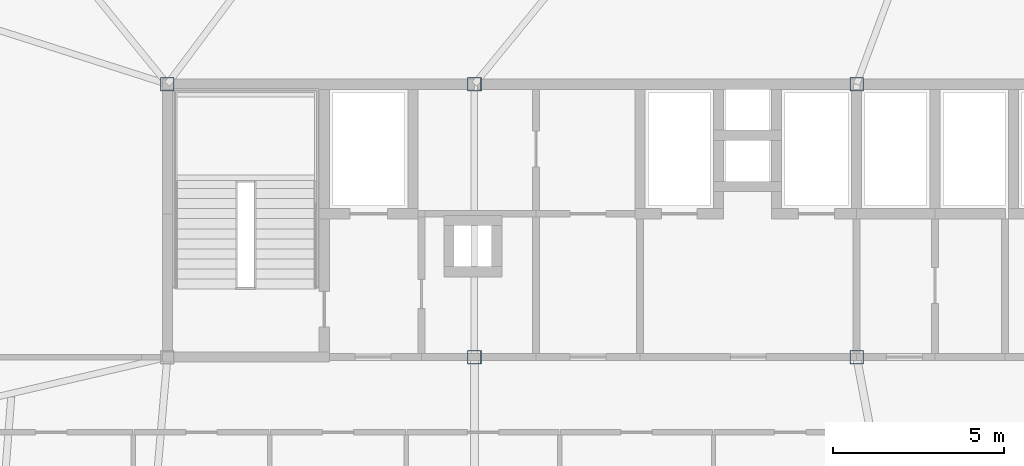
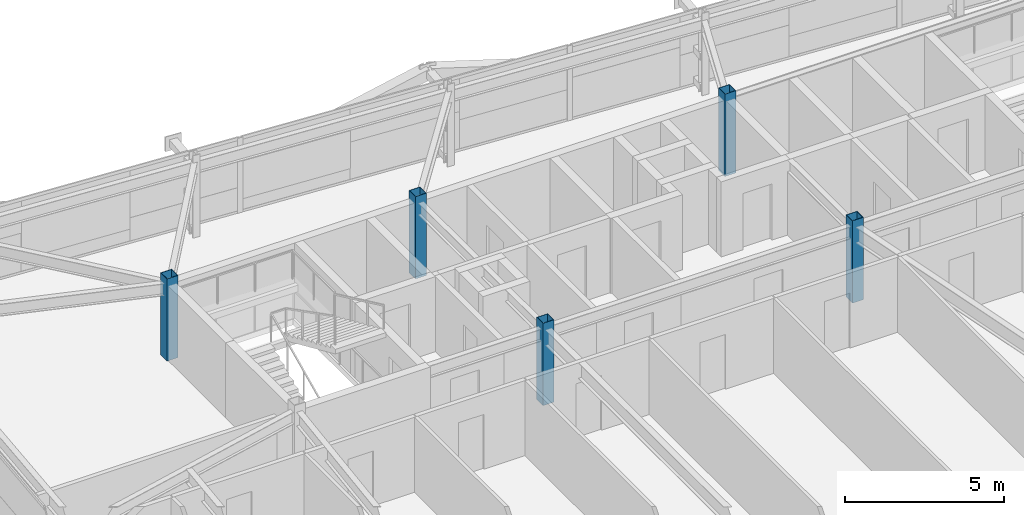
# One storey, part 2 of 39: 5 columns.
"""IFC4 building model written with IfcOpenShell, lengths in metres."""

from ifc_helpers import new_model, si_unit, direction, frame, origin, origin_2d, place, context, subcontext, project, spatial, hollow_rectangle, extrude, source, transform, mapped, material, material_profile, profile_set, type_object, element, save


model = new_model("IFC4")

# Units and contexts
model_context = context("Model", 3, precision=1e-05, world=origin(), true_north=direction((0.0, 1.0)))
body_context = subcontext(model_context, "Body", "Model", "MODEL_VIEW")
ifc_project = project(units=[si_unit("LENGTHUNIT", "METRE"), si_unit("AREAUNIT", "SQUARE_METRE"), si_unit("VOLUMEUNIT", "CUBIC_METRE"), si_unit("PLANEANGLEUNIT", "RADIAN"), si_unit("MASSUNIT", "GRAM", prefix="KILO")], contexts=[model_context])

# Site, building, storey
site_placement = place(None, origin())
site = spatial("IfcSite", under=ifc_project, at=site_placement, CompositionType="ELEMENT")
building_placement = place(site_placement, origin())
building = spatial("IfcBuilding", under=site, at=building_placement, Name="Taldren Reach Tower", CompositionType="ELEMENT")
storey_placement = place(building_placement, frame((0.0, 0.0, 161.35009765625)))
storey = spatial("IfcBuildingStorey", under=building, at=storey_placement, Name="L49", CompositionType="ELEMENT", Elevation=161.35009765625)

# Columns
ifc_material = material(Name="Steel Gr 450 (C450L0)", Category="steel")
ifc_material_profile = material_profile(ifc_material, hollow_rectangle(XDim=0.39990234375, YDim=0.39990234375, WallThickness=0.01611328125, at=origin_2d()), Name="400x400x16.0SHS")
ifc_profile_set = profile_set([ifc_material_profile], Name="Steel Gr 450 (C450L0)")
column_type = type_object("IfcColumnType", Name="COL-SHS400", PredefinedType="COLUMN", material=ifc_profile_set)
shared_shape = source(origin(), body_context, "Body", "SweptSolid", [
    extrude(hollow_rectangle(XDim=0.39990234375, YDim=0.39990234375, WallThickness=0.01611328125, at=origin_2d()), origin(), (0.0, 0.0, 1.0), 3.14990234375),
])
for number, where, z_axis, x_axis, name in (
    (1, (28.0, 24.0, 0.0), (0.0, 0.0, 1.0), (1.0, 0.0, 0.0), "Mega column MC-C2 L49"),
    (2, (39.199951171875, 24.0, 0.0), (0.0, 0.0, 1.0), (1.0, 0.0, 0.0), "Mega column MC-C3 L49"),
    (3, (19.0, 32.0, 0.0), (0.0, 0.0, 1.0), (1.0, 0.0, 0.0), "Mega column MC-C5 L49"),
    (4, (28.0, 32.0, 0.0), (0.0, 0.0, 1.0), (1.0, 0.0, 0.0), "Mega column MC-C6 L49"),
    (5, (39.199951171875, 32.0, 0.0), (0.0, 0.0, 1.0), (1.0, 0.0, 0.0), "Mega column MC-C7 L49"),
):
    element("IfcColumn", number, at=place(storey_placement, frame(where, z_axis=z_axis, x_axis=x_axis)), inside=storey, type_object=column_type, Name=name, PredefinedType="COLUMN", context=body_context, shape_type="MappedRepresentation", body=[
        mapped(shared_shape, transform((0.0, 0.0, 0.0), scale=1.0)),
    ])

save(model, "model.ifc")
